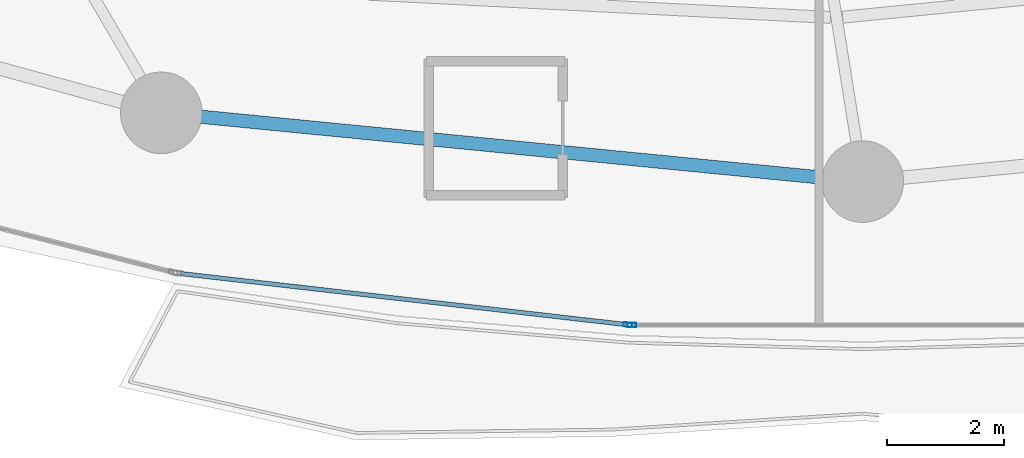
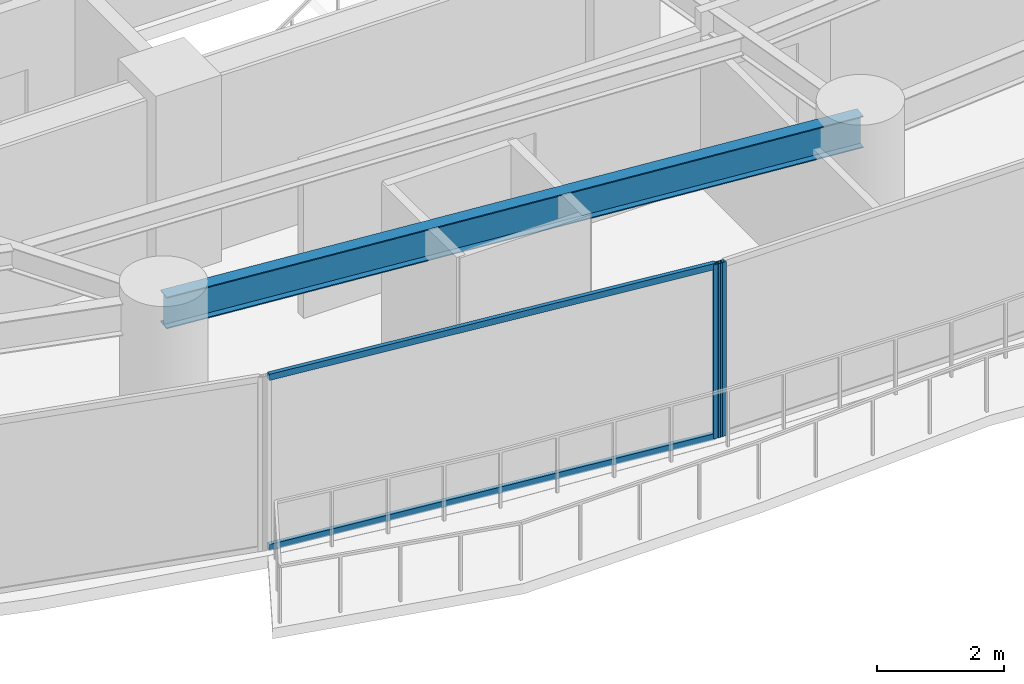
# One storey, part 6 of 33: 4 members, 1 beam, 2 elements without a shape of their own.
"""IFC4 building model written with IfcOpenShell, lengths in metres."""

from ifc_helpers import new_model, si_unit, direction, frame, origin, origin_2d, place, context, subcontext, project, spatial, hollow_rectangle, i_section, extrude, material, layer, layer_set, material_profile, profile_set, type_object, element, aggregate, save


model = new_model("IFC4")

# Units and contexts
model_context = context("Model", 3, precision=1e-05, world=origin(), true_north=direction((0.0, 1.0)))
body_context = subcontext(model_context, "Body", "Model", "MODEL_VIEW")
ifc_project = project(units=[si_unit("LENGTHUNIT", "METRE"), si_unit("AREAUNIT", "SQUARE_METRE"), si_unit("VOLUMEUNIT", "CUBIC_METRE"), si_unit("PLANEANGLEUNIT", "RADIAN"), si_unit("MASSUNIT", "GRAM", prefix="KILO")], contexts=[model_context])

# Site, building, storey
site_placement = place(None, origin())
site = spatial("IfcSite", under=ifc_project, at=site_placement, CompositionType="ELEMENT")
building_placement = place(site_placement, origin())
building = spatial("IfcBuilding", under=site, at=building_placement, Name="Kazevale Care Tower and Concert Hall", CompositionType="ELEMENT")
storey_placement = place(building_placement, frame((0.0, 0.0, 45.60009765625)))
storey = spatial("IfcBuildingStorey", under=building, at=storey_placement, Name="L11", CompositionType="ELEMENT", Elevation=45.60009765625)

# Curtain wall, member
ifc_material_1 = material(Name="Aluminium 6063-T6 and Low-E Glass", Category="aluminium")
ifc_layer = layer(ifc_material_1, 0.179931640625)
ifc_layer_set = layer_set([ifc_layer], Name="Aluminium 6063-T6 and Low-E Glass")
curtain_wall_type = type_object("IfcCurtainWallType", Name="Sheltered Concave Balcony Curtain Wall CW-5", PredefinedType="NOTDEFINED", material=ifc_layer_set)
curtain_wall_1_placement = place(storey_placement, origin())
curtain_wall_1 = element("IfcCurtainWall", 1, at=curtain_wall_1_placement, inside=storey, type_object=curtain_wall_type, Name="cw:L11:f06", PredefinedType="NOTDEFINED")
ifc_material_2 = material(Name="Aluminium 6063-T6", Category="aluminium")
ifc_material_profile_1 = material_profile(ifc_material_2, hollow_rectangle(XDim=0.074951171875, YDim=0.14990234375, WallThickness=0.00390625, at=origin_2d()), Name="ALU75x150x4")
ifc_profile_set_1 = profile_set([ifc_material_profile_1], Name="Aluminium 6063-T6")
member_type_1 = type_object("IfcMemberType", Name="CW-5 Mullion ALU75x150x4", PredefinedType="MULLION", material=ifc_profile_set_1)
member_1_placement = place(storey_placement, frame((41.03955078125, 14.889892578125, 0.0), z_axis=(0.0, 0.0, 1.0), x_axis=(0.0, -1.0, 0.0)))
member_1 = element("IfcMember", 2, at=member_1_placement, type_object=member_type_1, Name="CW-5 mullion 2", PredefinedType="MULLION", context=body_context, shape_type="SweptSolid", body=[
    extrude(hollow_rectangle(XDim=0.074951171875, YDim=0.14990234375, WallThickness=0.00390625, at=origin_2d()), origin(), (0.0, 0.0, 1.0), 3.35986328125),
])
aggregate(curtain_wall_1, [member_1])

# Curtain wall, members
curtain_wall_2_placement = place(storey_placement, origin())
curtain_wall_2 = element("IfcCurtainWall", 3, at=curtain_wall_2_placement, inside=storey, type_object=curtain_wall_type, Name="cw:L11:f07", PredefinedType="NOTDEFINED")
member_2_placement = place(storey_placement, frame((40.96484375, 14.894287109375, 0.0), z_axis=(0.0, 0.0, 1.0), x_axis=(-0.113704773808, -0.993514581883, 0.0)))
member_2 = element("IfcMember", 4, at=member_2_placement, type_object=member_type_1, Name="CW-5 mullion 1", PredefinedType="MULLION", context=body_context, shape_type="SweptSolid", body=[
    extrude(hollow_rectangle(XDim=0.074951171875, YDim=0.14990234375, WallThickness=0.00390625, at=origin_2d()), origin(), (0.0, 0.0, 1.0), 3.35986328125),
])
ifc_material_profile_2 = material_profile(ifc_material_2, hollow_rectangle(XDim=0.074951171875, YDim=0.1201171875, WallThickness=0.00390625, at=origin_2d()), Name="ALU75x120x4")
ifc_profile_set_2 = profile_set([ifc_material_profile_2], Name="Aluminium 6063-T6")
member_type_2 = type_object("IfcMemberType", Name="CW-5 Transom ALU75x120x4", PredefinedType="USERDEFINED", material=ifc_profile_set_2)
member_3_placement = place(storey_placement, frame((40.927490234375, 14.8984375, 0.037353515625), z_axis=(-0.993513842403, 0.113711234948, 0.0), x_axis=(-0.113711234948, -0.993513842403, 0.0)))
member_3 = element("IfcMember", 5, at=member_3_placement, type_object=member_type_2, Name="CW-5 transom 1.1", ObjectType="TRANSOM", PredefinedType="USERDEFINED", context=body_context, shape_type="SweptSolid", body=[
    extrude(hollow_rectangle(XDim=0.074951171875, YDim=0.1201171875, WallThickness=0.00390625, at=origin_2d()), origin(), (0.0, 0.0, 1.0), 7.69482421875),
])
member_4_placement = place(storey_placement, frame((40.927490234375, 14.8984375, 3.322509765625), z_axis=(-0.993513842403, 0.113711234948, 0.0), x_axis=(-0.113711234948, -0.993513842403, 0.0)))
member_4 = element("IfcMember", 6, at=member_4_placement, type_object=member_type_2, Name="CW-5 transom 1.2", ObjectType="TRANSOM", PredefinedType="USERDEFINED", context=body_context, shape_type="SweptSolid", body=[
    extrude(hollow_rectangle(XDim=0.074951171875, YDim=0.1201171875, WallThickness=0.00390625, at=origin_2d()), origin(), (0.0, 0.0, 1.0), 7.69482421875),
])
aggregate(curtain_wall_2, [member_2, member_3, member_4])

# Beam
ifc_material_3 = material(Name="Steel ASTM A572 Gr 50", Category="steel")
ifc_material_profile_3 = material_profile(ifc_material_3, i_section(OverallWidth=0.22900390625, OverallDepth=0.612060546875, WebThickness=0.011962890625, FlangeThickness=0.01953125, at=origin_2d()), Name="W610x125")
ifc_profile_set_3 = profile_set([ifc_material_profile_3], Name="Steel ASTM A572 Gr 50")
beam_type = type_object("IfcBeamType", Name="Ring Spandrel Beam W610x125", PredefinedType="SPANDREL", material=ifc_profile_set_3)
beam_placement = place(storey_placement, frame((32.9599609375, 18.530029296875, 3.053955078125), z_axis=(0.995232251602, -0.09753340644, 0.0), x_axis=(0.09753340644, 0.995232251602, 0.0)))
element("IfcBeam", 7, at=beam_placement, inside=storey, type_object=beam_type, Name="beam:L11:ring:12", PredefinedType="SPANDREL", context=body_context, shape_type="SweptSolid", body=[
    extrude(i_section(OverallWidth=0.22900390625, OverallDepth=0.612060546875, WebThickness=0.011962890625, FlangeThickness=0.01953125, at=origin_2d()), origin(), (0.0, 0.0, 1.0), 12.09765625),
])

save(model, "model.ifc")
